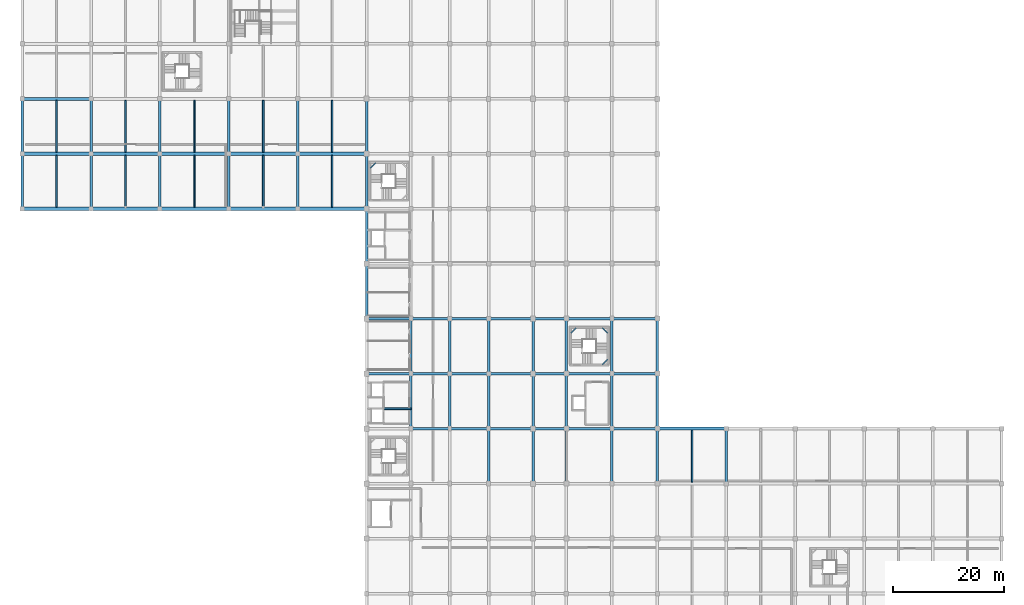
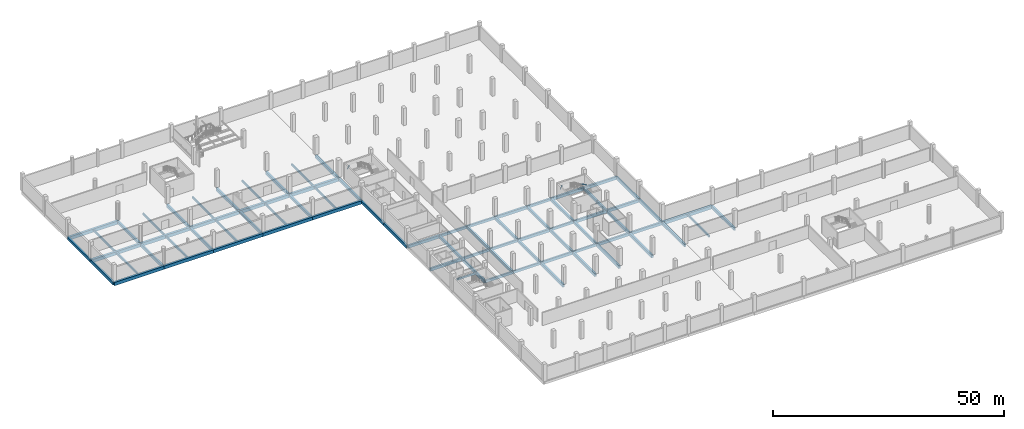
# One storey, part 4 of 32: 82 beams.
"""IFC4 building model written with IfcOpenShell, lengths in metres."""

import ifcopenshell
import ifcopenshell.guid

model = None  # the IFC model being written
_history = None  # IfcOwnerHistory: only IFC2X3 demands one
_inside = {}  # id of a spatial element -> (the spatial element, [elements in it])
_under = {}  # id of a project, library or spatial element -> (it, [spatial elements below it])
_declared = {}  # id of a project -> (the project, [libraries it declares])
_typed = {}  # id of a type object -> (the type object, [elements of that type])
_made_of = {}  # id of a material, layer set ... -> (it, [elements and type objects made of it])


def new_model(schema):
    """Start an empty IFC model of exactly this schema.

    Asked for "IFC4X3", IfcOpenShell would pick the latest addendum, in which some entities
    have other attributes; the version numbers below select the first issue.
    IFC2X3 requires an IfcOwnerHistory on every rooted entity: one is made here for all.
    """
    global model, _history
    if schema == "IFC4X3":
        model = ifcopenshell.file(schema_version=(4, 3, 0, 0))
    else:
        model = ifcopenshell.file(schema=schema)
    _inside.clear()
    _under.clear()
    _declared.clear()
    _typed.clear()
    _made_of.clear()
    _history = None
    if model.schema == "IFC2X3":
        org = make("IfcOrganization", Name="unknown")
        user = make(
            "IfcPersonAndOrganization",
            ThePerson=make("IfcPerson", FamilyName="unknown"),
            TheOrganization=org,
        )
        app = make(
            "IfcApplication",
            ApplicationDeveloper=org,
            Version="unknown",
            ApplicationFullName="unknown",
            ApplicationIdentifier="unknown",
        )
        _history = make(
            "IfcOwnerHistory",
            OwningUser=user,
            OwningApplication=app,
            ChangeAction="ADDED",
            CreationDate=0,
        )
    return model


def make(cls, **values):
    """One entity of the class cls with the attributes given. An attribute that is None is left unset."""
    return model.create_entity(
        cls, **{name: value for name, value in values.items() if value is not None}
    )


def rooted(cls, **values):
    """An entity with a GlobalId (a new one), such as an element, a storey or a relation."""
    return make(cls, GlobalId=ifcopenshell.guid.new(), OwnerHistory=_history, **values)


def si_unit(unit_type, name, prefix=None):
    """IfcSIUnit, for example si_unit("LENGTHUNIT", "METRE", prefix="MILLI")."""
    return make("IfcSIUnit", UnitType=unit_type, Prefix=prefix, Name=name)


def assignment(units):
    """IfcUnitAssignment: the units of a project."""
    return None if units is None else make("IfcUnitAssignment", Units=units)


def point(xyz):
    """IfcCartesianPoint."""
    return None if xyz is None else make("IfcCartesianPoint", Coordinates=xyz)


def direction(xyz):
    """IfcDirection."""
    return None if xyz is None else make("IfcDirection", DirectionRatios=xyz)


def frame(location, z_axis=None, x_axis=None):
    """IfcAxis2Placement3D, a coordinate frame: its origin and axes. An axis left out is left unset."""
    return make(
        "IfcAxis2Placement3D",
        Location=point(location),
        Axis=direction(z_axis),
        RefDirection=direction(x_axis),
    )


def frame_2d(location, x_axis=None):
    """IfcAxis2Placement2D, a coordinate frame in the plane: its origin and x axis."""
    return make(
        "IfcAxis2Placement2D", Location=point(location), RefDirection=direction(x_axis)
    )


def origin():
    """The frame at (0, 0, 0) with its axes left unset."""
    return frame((0.0, 0.0, 0.0))


def origin_2d():
    """The frame at (0, 0) in the plane with its x axis left unset."""
    return frame_2d((0.0, 0.0))


def place(relative_to, where):
    """IfcLocalPlacement: puts the frame where relative to a parent placement (None: the world)."""
    return make(
        "IfcLocalPlacement", PlacementRelTo=relative_to, RelativePlacement=where
    )


def context(
    kind, dimensions, precision=None, world=None, true_north=None, identifier=None
):
    """IfcGeometricRepresentationContext, for example the 3D "Model" context."""
    return make(
        "IfcGeometricRepresentationContext",
        ContextIdentifier=identifier,
        ContextType=kind,
        CoordinateSpaceDimension=dimensions,
        Precision=precision,
        WorldCoordinateSystem=world,
        TrueNorth=true_north,
    )


def subcontext(parent, identifier, kind, view, scale=None):
    """IfcGeometricRepresentationSubContext, for example "Body" below "Model"."""
    return make(
        "IfcGeometricRepresentationSubContext",
        ContextIdentifier=identifier,
        ContextType=kind,
        ParentContext=parent,
        TargetScale=scale,
        TargetView=view,
    )


def project(units=None, contexts=None):
    """IfcProject with its units and contexts."""
    return rooted(
        "IfcProject",
        Name="project",
        RepresentationContexts=contexts,
        UnitsInContext=assignment(units),
    )


def spatial(cls, under=None, at=None, **own):
    """A site, building, storey or space (cls), placed at a placement, below another one or the project."""
    s = rooted(cls, ObjectPlacement=at, **own)
    if under is not None:
        _under.setdefault(under.id(), (under, []))[1].append(s)
    return s


def profile(cls, at=None, kind="AREA", **sizes):
    """A parametric profile (cls). Its sizes go by their IFC names, for example OverallWidth=200.0."""
    return make(cls, ProfileType=kind, Position=at, **sizes)


def rectangle(**sizes):
    """IfcRectangleProfileDef."""
    return profile("IfcRectangleProfileDef", **sizes)


def hollow_rectangle(**sizes):
    """IfcRectangleHollowProfileDef."""
    return profile("IfcRectangleHollowProfileDef", **sizes)


def extrude(swept, where, along, depth):
    """IfcExtrudedAreaSolid: the profile swept, set in the frame where, extruded along a direction by depth."""
    return make(
        "IfcExtrudedAreaSolid",
        SweptArea=swept,
        Position=where,
        ExtrudedDirection=direction(along),
        Depth=depth,
    )


def shape(context_of_items, identifier, shape_type, items):
    """IfcShapeRepresentation: the items that make up one representation, for example the "Body"."""
    return make(
        "IfcShapeRepresentation",
        ContextOfItems=context_of_items,
        RepresentationIdentifier=identifier,
        RepresentationType=shape_type,
        Items=items,
    )


def material(Name=None, Category=None):
    """IfcMaterial."""
    return make("IfcMaterial", Name=Name, Category=Category)


def material_profile(
    of_material, cross_section, Name=None, Category=None, Priority=None
):
    """IfcMaterialProfile: a cross section and its material."""
    return make(
        "IfcMaterialProfile",
        Name=Name,
        Material=of_material,
        Profile=cross_section,
        Priority=Priority,
        Category=Category,
    )


def profile_set(profiles, Name=None, composite=None):
    """IfcMaterialProfileSet."""
    return make(
        "IfcMaterialProfileSet",
        Name=Name,
        MaterialProfiles=profiles,
        CompositeProfile=composite,
    )


def made_of(thing, what):
    """Note that an element or type object is made of a material, layer set ...; save() writes the relation."""
    if what is not None:
        _made_of.setdefault(what.id(), (what, []))[1].append(thing)
    return thing


def type_object(cls, material=None, **own):
    """A type object (cls), such as IfcWallType, which elements share."""
    return made_of(rooted(cls, **own), material)


def element(
    cls,
    number,
    at=None,
    inside=None,
    cuts=None,
    type_object=None,
    material=None,
    context=None,
    identifier="Body",
    shape_type=None,
    held_by="IfcProductDefinitionShape",
    body=None,
    shapes=None,
    **own,
):
    """One element of the class cls, such as IfcWall. Its Tag is "e" and its number.

    at: its placement. inside: the storey or other place that contains it. cuts: it is an
    opening in that element (IfcRelVoidsElement). A single representation is given by context,
    identifier, shape_type and body (its items); several are given by shapes. held_by: the class
    of the entity that holds the representations. save() writes the other relations.
    """
    e = rooted(cls, Tag="e%d" % number, ObjectPlacement=at, **own)
    if body is not None:
        shapes = [shape(context, identifier, shape_type, body)]
    if shapes is not None:
        e.Representation = make(held_by, Representations=shapes)
    if inside is not None:
        _inside.setdefault(inside.id(), (inside, []))[1].append(e)
    if cuts is not None:
        rooted(
            "IfcRelVoidsElement", RelatingBuildingElement=cuts, RelatedOpeningElement=e
        )
    if type_object is not None:
        _typed.setdefault(type_object.id(), (type_object, []))[1].append(e)
    return made_of(e, material)


def aggregate(whole, parts):
    """IfcRelAggregates: a whole, such as a stair, and the parts it consists of."""
    return rooted("IfcRelAggregates", RelatingObject=whole, RelatedObjects=parts)


def save(model, path):
    """Write the relations noted so far, then the file.

    IfcRelAggregates (storeys below a building ...), IfcRelContainedInSpatialStructure (elements
    in a storey), IfcRelDefinesByType, IfcRelAssociatesMaterial and IfcRelDeclares: one each for
    every whole, place, type object, material and project.
    """
    for whole, parts in _under.values():
        aggregate(whole, parts)
    for where, things in _inside.values():
        rooted(
            "IfcRelContainedInSpatialStructure",
            RelatedElements=things,
            RelatingStructure=where,
        )
    for kind, things in _typed.values():
        rooted("IfcRelDefinesByType", RelatedObjects=things, RelatingType=kind)
    for what, things in _made_of.values():
        rooted("IfcRelAssociatesMaterial", RelatedObjects=things, RelatingMaterial=what)
    for by, libraries in _declared.values():
        rooted("IfcRelDeclares", RelatingContext=by, RelatedDefinitions=libraries)
    model.write(path)


model = new_model("IFC4")

# Units and contexts
model_context = context("Model", 3, precision=1e-05, world=origin(), true_north=direction((0.0, 1.0)))
body_context = subcontext(model_context, "Body", "Model", "MODEL_VIEW")
ifc_project = project(units=[si_unit("LENGTHUNIT", "METRE"), si_unit("AREAUNIT", "SQUARE_METRE"), si_unit("VOLUMEUNIT", "CUBIC_METRE"), si_unit("PLANEANGLEUNIT", "RADIAN"), si_unit("MASSUNIT", "GRAM", prefix="KILO")], contexts=[model_context])

# Site, building, storey
site_placement = place(None, origin())
site = spatial("IfcSite", under=ifc_project, at=site_placement, CompositionType="ELEMENT")
building_placement = place(site_placement, origin())
building = spatial("IfcBuilding", under=site, at=building_placement, Name="Sillaruma Civic Art Gallery", CompositionType="ELEMENT")
storey_placement = place(building_placement, frame((0.0, 0.0, -4.590087890625)))
storey = spatial("IfcBuildingStorey", under=building, at=storey_placement, Name="B01", CompositionType="ELEMENT", Elevation=-4.590087890625)

# Beams
ifc_material_1 = material(Name="Concrete H35 (35 MPa)", Category="concrete")
ifc_material_profile_1 = material_profile(ifc_material_1, rectangle(XDim=0.39990234375, YDim=0.64990234375, at=origin_2d()), Name="RCB400x650")
ifc_profile_set_1 = profile_set([ifc_material_profile_1], Name="Concrete H35 (35 MPa)")
beam_type_1 = type_object("IfcBeamType", Name="BM-BEAM-RCB400x650", PredefinedType="BEAM", material=ifc_profile_set_1)
for number, where, z_axis, x_axis, name in (
    (1, (70.0, 39.60009765625, -0.60498046875), (1.0, 0.0, 0.0), (0.0, 1.0, 0.0), "Beam BM-05 (B02:5:G-H)"),
    (2, (77.0, 39.60009765625, -0.60498046875), (1.0, 0.0, 0.0), (0.0, 1.0, 0.0), "Beam BM-05 (B02:5:H-J)"),
):
    element("IfcBeam", number, at=place(storey_placement, frame(where, z_axis=z_axis, x_axis=x_axis)), inside=storey, type_object=beam_type_1, Name=name, PredefinedType="BEAM", context=body_context, shape_type="SweptSolid", body=[
        extrude(rectangle(XDim=0.39990234375, YDim=0.64990234375, at=origin_2d()), origin(), (0.0, 0.0, 1.0), 7.0),
    ])
beam_1_placement = place(storey_placement, frame((92.0, 39.60009765625, -0.60498046875), z_axis=(1.0, 0.0, 0.0), x_axis=(0.0, 1.0, 0.0)))
element("IfcBeam", 3, at=beam_1_placement, inside=storey, type_object=beam_type_1, Name="Beam BM-05 (B02:5:K-L)", PredefinedType="BEAM", context=body_context, shape_type="SweptSolid", body=[
    extrude(rectangle(XDim=0.39990234375, YDim=0.64990234375, at=origin_2d()), origin(), (0.0, 0.0, 1.0), 6.0),
])
for number, where, z_axis, x_axis, name in (
    (4, (70.0, 49.5, -0.60498046875), (1.0, 0.0, 0.0), (0.0, 1.0, 0.0), "Beam BM-05 (B02:6:G-H)"),
    (5, (77.0, 49.5, -0.60498046875), (1.0, 0.0, 0.0), (0.0, 1.0, 0.0), "Beam BM-05 (B02:6:H-J)"),
):
    element("IfcBeam", number, at=place(storey_placement, frame(where, z_axis=z_axis, x_axis=x_axis)), inside=storey, type_object=beam_type_1, Name=name, PredefinedType="BEAM", context=body_context, shape_type="SweptSolid", body=[
        extrude(rectangle(XDim=0.39990234375, YDim=0.64990234375, at=origin_2d()), origin(), (0.0, 0.0, 1.0), 7.0),
    ])
beam_2_placement = place(storey_placement, frame((92.0, 49.5, -0.60498046875), z_axis=(1.0, 0.0, 0.0), x_axis=(0.0, 1.0, 0.0)))
element("IfcBeam", 6, at=beam_2_placement, inside=storey, type_object=beam_type_1, Name="Beam BM-05 (B02:6:K-L)", PredefinedType="BEAM", context=body_context, shape_type="SweptSolid", body=[
    extrude(rectangle(XDim=0.39990234375, YDim=0.64990234375, at=origin_2d()), origin(), (0.0, 0.0, 1.0), 6.0),
])
for number, where, z_axis, x_axis, name in (
    (7, (70.0, 59.39990234375, -0.60498046875), (1.0, 0.0, 0.0), (0.0, 1.0, 0.0), "Beam BM-05 (B02:7:G-H)"),
    (8, (77.0, 59.39990234375, -0.60498046875), (1.0, 0.0, 0.0), (0.0, 1.0, 0.0), "Beam BM-05 (B02:7:H-J)"),
):
    element("IfcBeam", number, at=place(storey_placement, frame(where, z_axis=z_axis, x_axis=x_axis)), inside=storey, type_object=beam_type_1, Name=name, PredefinedType="BEAM", context=body_context, shape_type="SweptSolid", body=[
        extrude(rectangle(XDim=0.39990234375, YDim=0.64990234375, at=origin_2d()), origin(), (0.0, 0.0, 1.0), 7.0),
    ])
beam_3_placement = place(storey_placement, frame((92.0, 59.39990234375, -0.60498046875), z_axis=(1.0, 0.0, 0.0), x_axis=(0.0, 1.0, 0.0)))
element("IfcBeam", 9, at=beam_3_placement, inside=storey, type_object=beam_type_1, Name="Beam BM-05 (B02:7:K-L)", PredefinedType="BEAM", context=body_context, shape_type="SweptSolid", body=[
    extrude(rectangle(XDim=0.39990234375, YDim=0.64990234375, at=origin_2d()), origin(), (0.0, 0.0, 1.0), 6.0),
])
ifc_material_2 = material(Name="Concrete H40 (40 MPa)", Category="concrete")
ifc_material_profile_2 = material_profile(ifc_material_2, rectangle(XDim=0.449951171875, YDim=0.75, at=origin_2d()), Name="RCB450x750")
ifc_profile_set_2 = profile_set([ifc_material_profile_2], Name="Concrete H40 (40 MPa)")
beam_type_2 = type_object("IfcBeamType", Name="BM-BEAM-RCB450x750", PredefinedType="BEAM", material=ifc_profile_set_2)
beam_4_placement = place(storey_placement, frame((84.0, 39.60009765625, -0.655029296875), z_axis=(1.0, 0.0, 0.0), x_axis=(0.0, 1.0, 0.0)))
element("IfcBeam", 10, at=beam_4_placement, inside=storey, type_object=beam_type_2, Name="Beam BM-03 (B02:5:J-K)", PredefinedType="BEAM", context=body_context, shape_type="SweptSolid", body=[
    extrude(rectangle(XDim=0.449951171875, YDim=0.75, at=origin_2d()), origin(), (0.0, 0.0, 1.0), 8.0),
])
for number, where, z_axis, x_axis, name in (
    (11, (98.0, 39.60009765625, -0.655029296875), (1.0, 0.0, 0.0), (0.0, 1.0, 0.0), "Beam BM-03 (B02:5:L-M)"),
    (12, (106.199951171875, 39.60009765625, -0.655029296875), (1.0, 0.0, 0.0), (0.0, 1.0, 0.0), "Beam BM-03 (B02:5:M-N)"),
):
    element("IfcBeam", number, at=place(storey_placement, frame(where, z_axis=z_axis, x_axis=x_axis)), inside=storey, type_object=beam_type_2, Name=name, PredefinedType="BEAM", context=body_context, shape_type="SweptSolid", body=[
        extrude(rectangle(XDim=0.449951171875, YDim=0.75, at=origin_2d()), origin(), (0.0, 0.0, 1.0), 8.199951171875),
    ])
for number, where, z_axis, x_axis, name in (
    (13, (62.0, 49.5, -0.655029296875), (1.0, 0.0, 0.0), (0.0, 1.0, 0.0), "Beam BM-03 (B02:6:F-G)"),
    (14, (84.0, 49.5, -0.655029296875), (1.0, 0.0, 0.0), (0.0, 1.0, 0.0), "Beam BM-03 (B02:6:J-K)"),
):
    element("IfcBeam", number, at=place(storey_placement, frame(where, z_axis=z_axis, x_axis=x_axis)), inside=storey, type_object=beam_type_2, Name=name, PredefinedType="BEAM", context=body_context, shape_type="SweptSolid", body=[
        extrude(rectangle(XDim=0.449951171875, YDim=0.75, at=origin_2d()), origin(), (0.0, 0.0, 1.0), 8.0),
    ])
for number, where, z_axis, x_axis, name in (
    (15, (98.0, 49.5, -0.655029296875), (1.0, 0.0, 0.0), (0.0, 1.0, 0.0), "Beam BM-03 (B02:6:L-M)"),
    (16, (106.199951171875, 49.5, -0.655029296875), (1.0, 0.0, 0.0), (0.0, 1.0, 0.0), "Beam BM-03 (B02:6:M-N)"),
):
    element("IfcBeam", number, at=place(storey_placement, frame(where, z_axis=z_axis, x_axis=x_axis)), inside=storey, type_object=beam_type_2, Name=name, PredefinedType="BEAM", context=body_context, shape_type="SweptSolid", body=[
        extrude(rectangle(XDim=0.449951171875, YDim=0.75, at=origin_2d()), origin(), (0.0, 0.0, 1.0), 8.199951171875),
    ])
for number, where, z_axis, x_axis, name in (
    (17, (62.0, 59.39990234375, -0.655029296875), (1.0, 0.0, 0.0), (0.0, 1.0, 0.0), "Beam BM-03 (B02:7:F-G)"),
    (18, (84.0, 59.39990234375, -0.655029296875), (1.0, 0.0, 0.0), (0.0, 1.0, 0.0), "Beam BM-03 (B02:7:J-K)"),
):
    element("IfcBeam", number, at=place(storey_placement, frame(where, z_axis=z_axis, x_axis=x_axis)), inside=storey, type_object=beam_type_2, Name=name, PredefinedType="BEAM", context=body_context, shape_type="SweptSolid", body=[
        extrude(rectangle(XDim=0.449951171875, YDim=0.75, at=origin_2d()), origin(), (0.0, 0.0, 1.0), 8.0),
    ])
for number, where, z_axis, x_axis, name in (
    (19, (98.0, 59.39990234375, -0.655029296875), (1.0, 0.0, 0.0), (0.0, 1.0, 0.0), "Beam BM-03 (B02:7:L-M)"),
    (20, (106.199951171875, 59.39990234375, -0.655029296875), (1.0, 0.0, 0.0), (0.0, 1.0, 0.0), "Beam BM-03 (B02:7:M-N)"),
):
    element("IfcBeam", number, at=place(storey_placement, frame(where, z_axis=z_axis, x_axis=x_axis)), inside=storey, type_object=beam_type_2, Name=name, PredefinedType="BEAM", context=body_context, shape_type="SweptSolid", body=[
        extrude(rectangle(XDim=0.449951171875, YDim=0.75, at=origin_2d()), origin(), (0.0, 0.0, 1.0), 8.199951171875),
    ])
beam_5_placement = place(storey_placement, frame((0.0, 79.199951171875, -0.655029296875), z_axis=(0.0, 1.0, 0.0), x_axis=(-1.0, 0.0, 0.0)))
element("IfcBeam", 21, at=beam_5_placement, inside=storey, type_object=beam_type_2, Name="Beam BM-03 (B02:A:9-10)", PredefinedType="BEAM", context=body_context, shape_type="SweptSolid", body=[
    extrude(rectangle(XDim=0.449951171875, YDim=0.75, at=origin_2d()), origin(), (0.0, 0.0, 1.0), 9.900146484375),
])
beam_6_placement = place(storey_placement, frame((0.0, 89.10009765625, -0.655029296875), z_axis=(0.0, 1.0, 0.0), x_axis=(-1.0, 0.0, 0.0)))
element("IfcBeam", 22, at=beam_6_placement, inside=storey, type_object=beam_type_2, Name="Beam BM-03 (B02:A:10-11)", PredefinedType="BEAM", context=body_context, shape_type="SweptSolid", body=[
    extrude(rectangle(XDim=0.449951171875, YDim=0.75, at=origin_2d()), origin(), (0.0, 0.0, 1.0), 9.89990234375),
])
beam_7_placement = place(storey_placement, frame((12.39990234375, 79.199951171875, -0.655029296875), z_axis=(0.0, 1.0, 0.0), x_axis=(-1.0, 0.0, 0.0)))
element("IfcBeam", 23, at=beam_7_placement, inside=storey, type_object=beam_type_2, Name="Beam BM-03 (B02:B:9-10)", PredefinedType="BEAM", context=body_context, shape_type="SweptSolid", body=[
    extrude(rectangle(XDim=0.449951171875, YDim=0.75, at=origin_2d()), origin(), (0.0, 0.0, 1.0), 9.900146484375),
])
beam_8_placement = place(storey_placement, frame((12.39990234375, 89.10009765625, -0.655029296875), z_axis=(0.0, 1.0, 0.0), x_axis=(-1.0, 0.0, 0.0)))
element("IfcBeam", 24, at=beam_8_placement, inside=storey, type_object=beam_type_2, Name="Beam BM-03 (B02:B:10-11)", PredefinedType="BEAM", context=body_context, shape_type="SweptSolid", body=[
    extrude(rectangle(XDim=0.449951171875, YDim=0.75, at=origin_2d()), origin(), (0.0, 0.0, 1.0), 9.89990234375),
])
beam_9_placement = place(storey_placement, frame((24.800048828125, 79.199951171875, -0.655029296875), z_axis=(0.0, 1.0, 0.0), x_axis=(-1.0, 0.0, 0.0)))
element("IfcBeam", 25, at=beam_9_placement, inside=storey, type_object=beam_type_2, Name="Beam BM-03 (B02:C:9-10)", PredefinedType="BEAM", context=body_context, shape_type="SweptSolid", body=[
    extrude(rectangle(XDim=0.449951171875, YDim=0.75, at=origin_2d()), origin(), (0.0, 0.0, 1.0), 9.900146484375),
])
beam_10_placement = place(storey_placement, frame((24.800048828125, 89.10009765625, -0.655029296875), z_axis=(0.0, 1.0, 0.0), x_axis=(-1.0, 0.0, 0.0)))
element("IfcBeam", 26, at=beam_10_placement, inside=storey, type_object=beam_type_2, Name="Beam BM-03 (B02:C:10-11)", PredefinedType="BEAM", context=body_context, shape_type="SweptSolid", body=[
    extrude(rectangle(XDim=0.449951171875, YDim=0.75, at=origin_2d()), origin(), (0.0, 0.0, 1.0), 9.89990234375),
])
beam_11_placement = place(storey_placement, frame((37.199951171875, 79.199951171875, -0.655029296875), z_axis=(0.0, 1.0, 0.0), x_axis=(-1.0, 0.0, 0.0)))
element("IfcBeam", 27, at=beam_11_placement, inside=storey, type_object=beam_type_2, Name="Beam BM-03 (B02:D:9-10)", PredefinedType="BEAM", context=body_context, shape_type="SweptSolid", body=[
    extrude(rectangle(XDim=0.449951171875, YDim=0.75, at=origin_2d()), origin(), (0.0, 0.0, 1.0), 9.900146484375),
])
beam_12_placement = place(storey_placement, frame((37.199951171875, 89.10009765625, -0.655029296875), z_axis=(0.0, 1.0, 0.0), x_axis=(-1.0, 0.0, 0.0)))
element("IfcBeam", 28, at=beam_12_placement, inside=storey, type_object=beam_type_2, Name="Beam BM-03 (B02:D:10-11)", PredefinedType="BEAM", context=body_context, shape_type="SweptSolid", body=[
    extrude(rectangle(XDim=0.449951171875, YDim=0.75, at=origin_2d()), origin(), (0.0, 0.0, 1.0), 9.89990234375),
])
beam_13_placement = place(storey_placement, frame((49.60009765625, 79.199951171875, -0.655029296875), z_axis=(0.0, 1.0, 0.0), x_axis=(-1.0, 0.0, 0.0)))
element("IfcBeam", 29, at=beam_13_placement, inside=storey, type_object=beam_type_2, Name="Beam BM-03 (B02:E:9-10)", PredefinedType="BEAM", context=body_context, shape_type="SweptSolid", body=[
    extrude(rectangle(XDim=0.449951171875, YDim=0.75, at=origin_2d()), origin(), (0.0, 0.0, 1.0), 9.900146484375),
])
beam_14_placement = place(storey_placement, frame((49.60009765625, 89.10009765625, -0.655029296875), z_axis=(0.0, 1.0, 0.0), x_axis=(-1.0, 0.0, 0.0)))
element("IfcBeam", 30, at=beam_14_placement, inside=storey, type_object=beam_type_2, Name="Beam BM-03 (B02:E:10-11)", PredefinedType="BEAM", context=body_context, shape_type="SweptSolid", body=[
    extrude(rectangle(XDim=0.449951171875, YDim=0.75, at=origin_2d()), origin(), (0.0, 0.0, 1.0), 9.89990234375),
])
beam_15_placement = place(storey_placement, frame((62.0, 59.39990234375, -0.655029296875), z_axis=(0.0, 1.0, 0.0), x_axis=(-1.0, 0.0, 0.0)))
element("IfcBeam", 31, at=beam_15_placement, inside=storey, type_object=beam_type_2, Name="Beam BM-03 (B02:F:7-8)", PredefinedType="BEAM", context=body_context, shape_type="SweptSolid", body=[
    extrude(rectangle(XDim=0.449951171875, YDim=0.75, at=origin_2d()), origin(), (0.0, 0.0, 1.0), 9.900146484375),
])
beam_16_placement = place(storey_placement, frame((62.0, 69.300048828125, -0.655029296875), z_axis=(0.0, 1.0, 0.0), x_axis=(-1.0, 0.0, 0.0)))
element("IfcBeam", 32, at=beam_16_placement, inside=storey, type_object=beam_type_2, Name="Beam BM-03 (B02:F:8-9)", PredefinedType="BEAM", context=body_context, shape_type="SweptSolid", body=[
    extrude(rectangle(XDim=0.449951171875, YDim=0.75, at=origin_2d()), origin(), (0.0, 0.0, 1.0), 9.89990234375),
])
beam_17_placement = place(storey_placement, frame((62.0, 79.199951171875, -0.655029296875), z_axis=(0.0, 1.0, 0.0), x_axis=(-1.0, 0.0, 0.0)))
element("IfcBeam", 33, at=beam_17_placement, inside=storey, type_object=beam_type_2, Name="Beam BM-03 (B02:F:9-10)", PredefinedType="BEAM", context=body_context, shape_type="SweptSolid", body=[
    extrude(rectangle(XDim=0.449951171875, YDim=0.75, at=origin_2d()), origin(), (0.0, 0.0, 1.0), 9.900146484375),
])
for number, where, z_axis, x_axis, name in (
    (34, (62.0, 89.10009765625, -0.655029296875), (0.0, 1.0, 0.0), (-1.0, 0.0, 0.0), "Beam BM-03 (B02:F:10-11)"),
    (35, (70.0, 39.60009765625, -0.655029296875), (0.0, 1.0, 0.0), (-1.0, 0.0, 0.0), "Beam BM-03 (B02:G:5-6)"),
    (36, (70.0, 49.5, -0.655029296875), (0.0, 1.0, 0.0), (-1.0, 0.0, 0.0), "Beam BM-03 (B02:G:6-7)"),
    (37, (77.0, 39.60009765625, -0.655029296875), (0.0, 1.0, 0.0), (-1.0, 0.0, 0.0), "Beam BM-03 (B02:H:5-6)"),
    (38, (77.0, 49.5, -0.655029296875), (0.0, 1.0, 0.0), (-1.0, 0.0, 0.0), "Beam BM-03 (B02:H:6-7)"),
):
    element("IfcBeam", number, at=place(storey_placement, frame(where, z_axis=z_axis, x_axis=x_axis)), inside=storey, type_object=beam_type_2, Name=name, PredefinedType="BEAM", context=body_context, shape_type="SweptSolid", body=[
        extrude(rectangle(XDim=0.449951171875, YDim=0.75, at=origin_2d()), origin(), (0.0, 0.0, 1.0), 9.89990234375),
    ])
beam_18_placement = place(storey_placement, frame((84.0, 29.699951171875, -0.655029296875), z_axis=(0.0, 1.0, 0.0), x_axis=(-1.0, 0.0, 0.0)))
element("IfcBeam", 39, at=beam_18_placement, inside=storey, type_object=beam_type_2, Name="Beam BM-03 (B02:J:4-5)", PredefinedType="BEAM", context=body_context, shape_type="SweptSolid", body=[
    extrude(rectangle(XDim=0.449951171875, YDim=0.75, at=origin_2d()), origin(), (0.0, 0.0, 1.0), 9.900146484375),
])
for number, where, z_axis, x_axis, name in (
    (40, (84.0, 39.60009765625, -0.655029296875), (0.0, 1.0, 0.0), (-1.0, 0.0, 0.0), "Beam BM-03 (B02:J:5-6)"),
    (41, (84.0, 49.5, -0.655029296875), (0.0, 1.0, 0.0), (-1.0, 0.0, 0.0), "Beam BM-03 (B02:J:6-7)"),
):
    element("IfcBeam", number, at=place(storey_placement, frame(where, z_axis=z_axis, x_axis=x_axis)), inside=storey, type_object=beam_type_2, Name=name, PredefinedType="BEAM", context=body_context, shape_type="SweptSolid", body=[
        extrude(rectangle(XDim=0.449951171875, YDim=0.75, at=origin_2d()), origin(), (0.0, 0.0, 1.0), 9.89990234375),
    ])
beam_19_placement = place(storey_placement, frame((92.0, 29.699951171875, -0.655029296875), z_axis=(0.0, 1.0, 0.0), x_axis=(-1.0, 0.0, 0.0)))
element("IfcBeam", 42, at=beam_19_placement, inside=storey, type_object=beam_type_2, Name="Beam BM-03 (B02:K:4-5)", PredefinedType="BEAM", context=body_context, shape_type="SweptSolid", body=[
    extrude(rectangle(XDim=0.449951171875, YDim=0.75, at=origin_2d()), origin(), (0.0, 0.0, 1.0), 9.900146484375),
])
for number, where, z_axis, x_axis, name in (
    (43, (92.0, 39.60009765625, -0.655029296875), (0.0, 1.0, 0.0), (-1.0, 0.0, 0.0), "Beam BM-03 (B02:K:5-6)"),
    (44, (92.0, 49.5, -0.655029296875), (0.0, 1.0, 0.0), (-1.0, 0.0, 0.0), "Beam BM-03 (B02:K:6-7)"),
):
    element("IfcBeam", number, at=place(storey_placement, frame(where, z_axis=z_axis, x_axis=x_axis)), inside=storey, type_object=beam_type_2, Name=name, PredefinedType="BEAM", context=body_context, shape_type="SweptSolid", body=[
        extrude(rectangle(XDim=0.449951171875, YDim=0.75, at=origin_2d()), origin(), (0.0, 0.0, 1.0), 9.89990234375),
    ])
beam_20_placement = place(storey_placement, frame((98.0, 29.699951171875, -0.655029296875), z_axis=(0.0, 1.0, 0.0), x_axis=(-1.0, 0.0, 0.0)))
element("IfcBeam", 45, at=beam_20_placement, inside=storey, type_object=beam_type_2, Name="Beam BM-03 (B02:L:4-5)", PredefinedType="BEAM", context=body_context, shape_type="SweptSolid", body=[
    extrude(rectangle(XDim=0.449951171875, YDim=0.75, at=origin_2d()), origin(), (0.0, 0.0, 1.0), 9.900146484375),
])
for number, where, z_axis, x_axis, name in (
    (46, (98.0, 39.60009765625, -0.655029296875), (0.0, 1.0, 0.0), (-1.0, 0.0, 0.0), "Beam BM-03 (B02:L:5-6)"),
    (47, (98.0, 49.5, -0.655029296875), (0.0, 1.0, 0.0), (-1.0, 0.0, 0.0), "Beam BM-03 (B02:L:6-7)"),
):
    element("IfcBeam", number, at=place(storey_placement, frame(where, z_axis=z_axis, x_axis=x_axis)), inside=storey, type_object=beam_type_2, Name=name, PredefinedType="BEAM", context=body_context, shape_type="SweptSolid", body=[
        extrude(rectangle(XDim=0.449951171875, YDim=0.75, at=origin_2d()), origin(), (0.0, 0.0, 1.0), 9.89990234375),
    ])
beam_21_placement = place(storey_placement, frame((106.199951171875, 29.699951171875, -0.655029296875), z_axis=(0.0, 1.0, 0.0), x_axis=(-1.0, 0.0, 0.0)))
element("IfcBeam", 48, at=beam_21_placement, inside=storey, type_object=beam_type_2, Name="Beam BM-03 (B02:M:4-5)", PredefinedType="BEAM", context=body_context, shape_type="SweptSolid", body=[
    extrude(rectangle(XDim=0.449951171875, YDim=0.75, at=origin_2d()), origin(), (0.0, 0.0, 1.0), 9.900146484375),
])
for number, where, z_axis, x_axis, name in (
    (49, (106.199951171875, 39.60009765625, -0.655029296875), (0.0, 1.0, 0.0), (-1.0, 0.0, 0.0), "Beam BM-03 (B02:M:5-6)"),
    (50, (106.199951171875, 49.5, -0.655029296875), (0.0, 1.0, 0.0), (-1.0, 0.0, 0.0), "Beam BM-03 (B02:M:6-7)"),
):
    element("IfcBeam", number, at=place(storey_placement, frame(where, z_axis=z_axis, x_axis=x_axis)), inside=storey, type_object=beam_type_2, Name=name, PredefinedType="BEAM", context=body_context, shape_type="SweptSolid", body=[
        extrude(rectangle(XDim=0.449951171875, YDim=0.75, at=origin_2d()), origin(), (0.0, 0.0, 1.0), 9.89990234375),
    ])
beam_22_placement = place(storey_placement, frame((114.39990234375, 29.699951171875, -0.655029296875), z_axis=(0.0, 1.0, 0.0), x_axis=(-1.0, 0.0, 0.0)))
element("IfcBeam", 51, at=beam_22_placement, inside=storey, type_object=beam_type_2, Name="Beam BM-03 (B02:N:4-5)", PredefinedType="BEAM", context=body_context, shape_type="SweptSolid", body=[
    extrude(rectangle(XDim=0.449951171875, YDim=0.75, at=origin_2d()), origin(), (0.0, 0.0, 1.0), 9.900146484375),
])
for number, where, z_axis, x_axis, name in (
    (52, (114.39990234375, 39.60009765625, -0.655029296875), (0.0, 1.0, 0.0), (-1.0, 0.0, 0.0), "Beam BM-03 (B02:N:5-6)"),
    (53, (114.39990234375, 49.5, -0.655029296875), (0.0, 1.0, 0.0), (-1.0, 0.0, 0.0), "Beam BM-03 (B02:N:6-7)"),
):
    element("IfcBeam", number, at=place(storey_placement, frame(where, z_axis=z_axis, x_axis=x_axis)), inside=storey, type_object=beam_type_2, Name=name, PredefinedType="BEAM", context=body_context, shape_type="SweptSolid", body=[
        extrude(rectangle(XDim=0.449951171875, YDim=0.75, at=origin_2d()), origin(), (0.0, 0.0, 1.0), 9.89990234375),
    ])
beam_23_placement = place(storey_placement, frame((126.800048828125, 29.699951171875, -0.655029296875), z_axis=(0.0, 1.0, 0.0), x_axis=(-1.0, 0.0, 0.0)))
element("IfcBeam", 54, at=beam_23_placement, inside=storey, type_object=beam_type_2, Name="Beam BM-03 (B02:P:4-5)", PredefinedType="BEAM", context=body_context, shape_type="SweptSolid", body=[
    extrude(rectangle(XDim=0.449951171875, YDim=0.75, at=origin_2d()), origin(), (0.0, 0.0, 1.0), 9.900146484375),
])
ifc_material_profile_3 = material_profile(ifc_material_2, rectangle(XDim=0.550048828125, YDim=0.85009765625, at=origin_2d()), Name="RCB550x850")
ifc_profile_set_3 = profile_set([ifc_material_profile_3], Name="Concrete H40 (40 MPa)")
beam_type_3 = type_object("IfcBeamType", Name="BM-BEAM-RCB550x850", PredefinedType="BEAM", material=ifc_profile_set_3)
beam_24_placement = place(storey_placement, frame((114.39990234375, 39.60009765625, -0.704833984375), z_axis=(1.0, 0.0, 0.0), x_axis=(0.0, 1.0, 0.0)))
element("IfcBeam", 55, at=beam_24_placement, inside=storey, type_object=beam_type_3, Name="Beam BM-01 (B02:5:N-P)", PredefinedType="BEAM", context=body_context, shape_type="SweptSolid", body=[
    extrude(rectangle(XDim=0.550048828125, YDim=0.85009765625, at=origin_2d()), origin(), (0.0, 0.0, 1.0), 12.400146484375),
])
beam_25_placement = place(storey_placement, frame((0.0, 79.199951171875, -0.704833984375), z_axis=(1.0, 0.0, 0.0), x_axis=(0.0, 1.0, 0.0)))
element("IfcBeam", 56, at=beam_25_placement, inside=storey, type_object=beam_type_3, Name="Beam BM-01 (B02:9:A-B)", PredefinedType="BEAM", context=body_context, shape_type="SweptSolid", body=[
    extrude(rectangle(XDim=0.550048828125, YDim=0.85009765625, at=origin_2d()), origin(), (0.0, 0.0, 1.0), 12.39990234375),
])
beam_26_placement = place(storey_placement, frame((12.39990234375, 79.199951171875, -0.704833984375), z_axis=(1.0, 0.0, 0.0), x_axis=(0.0, 1.0, 0.0)))
element("IfcBeam", 57, at=beam_26_placement, inside=storey, type_object=beam_type_3, Name="Beam BM-01 (B02:9:B-C)", PredefinedType="BEAM", context=body_context, shape_type="SweptSolid", body=[
    extrude(rectangle(XDim=0.550048828125, YDim=0.85009765625, at=origin_2d()), origin(), (0.0, 0.0, 1.0), 12.400146484375),
])
beam_27_placement = place(storey_placement, frame((24.800048828125, 79.199951171875, -0.704833984375), z_axis=(1.0, 0.0, 0.0), x_axis=(0.0, 1.0, 0.0)))
element("IfcBeam", 58, at=beam_27_placement, inside=storey, type_object=beam_type_3, Name="Beam BM-01 (B02:9:C-D)", PredefinedType="BEAM", context=body_context, shape_type="SweptSolid", body=[
    extrude(rectangle(XDim=0.550048828125, YDim=0.85009765625, at=origin_2d()), origin(), (0.0, 0.0, 1.0), 12.39990234375),
])
beam_28_placement = place(storey_placement, frame((37.199951171875, 79.199951171875, -0.704833984375), z_axis=(1.0, 0.0, 0.0), x_axis=(0.0, 1.0, 0.0)))
element("IfcBeam", 59, at=beam_28_placement, inside=storey, type_object=beam_type_3, Name="Beam BM-01 (B02:9:D-E)", PredefinedType="BEAM", context=body_context, shape_type="SweptSolid", body=[
    extrude(rectangle(XDim=0.550048828125, YDim=0.85009765625, at=origin_2d()), origin(), (0.0, 0.0, 1.0), 12.400146484375),
])
for number, where, z_axis, x_axis, name in (
    (60, (49.60009765625, 79.199951171875, -0.704833984375), (1.0, 0.0, 0.0), (0.0, 1.0, 0.0), "Beam BM-01 (B02:9:E-F)"),
    (61, (0.0, 89.10009765625, -0.704833984375), (1.0, 0.0, 0.0), (0.0, 1.0, 0.0), "Beam BM-01 (B02:10:A-B)"),
):
    element("IfcBeam", number, at=place(storey_placement, frame(where, z_axis=z_axis, x_axis=x_axis)), inside=storey, type_object=beam_type_3, Name=name, PredefinedType="BEAM", context=body_context, shape_type="SweptSolid", body=[
        extrude(rectangle(XDim=0.550048828125, YDim=0.85009765625, at=origin_2d()), origin(), (0.0, 0.0, 1.0), 12.39990234375),
    ])
beam_29_placement = place(storey_placement, frame((12.39990234375, 89.10009765625, -0.704833984375), z_axis=(1.0, 0.0, 0.0), x_axis=(0.0, 1.0, 0.0)))
element("IfcBeam", 62, at=beam_29_placement, inside=storey, type_object=beam_type_3, Name="Beam BM-01 (B02:10:B-C)", PredefinedType="BEAM", context=body_context, shape_type="SweptSolid", body=[
    extrude(rectangle(XDim=0.550048828125, YDim=0.85009765625, at=origin_2d()), origin(), (0.0, 0.0, 1.0), 12.400146484375),
])
beam_30_placement = place(storey_placement, frame((24.800048828125, 89.10009765625, -0.704833984375), z_axis=(1.0, 0.0, 0.0), x_axis=(0.0, 1.0, 0.0)))
element("IfcBeam", 63, at=beam_30_placement, inside=storey, type_object=beam_type_3, Name="Beam BM-01 (B02:10:C-D)", PredefinedType="BEAM", context=body_context, shape_type="SweptSolid", body=[
    extrude(rectangle(XDim=0.550048828125, YDim=0.85009765625, at=origin_2d()), origin(), (0.0, 0.0, 1.0), 12.39990234375),
])
beam_31_placement = place(storey_placement, frame((37.199951171875, 89.10009765625, -0.704833984375), z_axis=(1.0, 0.0, 0.0), x_axis=(0.0, 1.0, 0.0)))
element("IfcBeam", 64, at=beam_31_placement, inside=storey, type_object=beam_type_3, Name="Beam BM-01 (B02:10:D-E)", PredefinedType="BEAM", context=body_context, shape_type="SweptSolid", body=[
    extrude(rectangle(XDim=0.550048828125, YDim=0.85009765625, at=origin_2d()), origin(), (0.0, 0.0, 1.0), 12.400146484375),
])
for number, where, z_axis, x_axis, name in (
    (65, (49.60009765625, 89.10009765625, -0.704833984375), (1.0, 0.0, 0.0), (0.0, 1.0, 0.0), "Beam BM-01 (B02:10:E-F)"),
    (66, (0.0, 99.0, -0.704833984375), (1.0, 0.0, 0.0), (0.0, 1.0, 0.0), "Beam BM-01 (B02:11:A-B)"),
):
    element("IfcBeam", number, at=place(storey_placement, frame(where, z_axis=z_axis, x_axis=x_axis)), inside=storey, type_object=beam_type_3, Name=name, PredefinedType="BEAM", context=body_context, shape_type="SweptSolid", body=[
        extrude(rectangle(XDim=0.550048828125, YDim=0.85009765625, at=origin_2d()), origin(), (0.0, 0.0, 1.0), 12.39990234375),
    ])
ifc_material_profile_4 = material_profile(ifc_material_1, rectangle(XDim=0.300048828125, YDim=0.52001953125, at=origin_2d()), Name="RCB300x520")
ifc_profile_set_4 = profile_set([ifc_material_profile_4], Name="Concrete H35 (35 MPa)")
beam_type_4 = type_object("IfcBeamType", Name="BM-JOIST-RCB300x520", PredefinedType="JOIST", material=ifc_profile_set_4)
beam_32_placement = place(storey_placement, frame((120.60009765625, 29.9599609375, -0.539794921875), z_axis=(0.0, 1.0, 0.0), x_axis=(-1.0, 0.0, 0.0)))
element("IfcBeam", 67, at=beam_32_placement, inside=storey, type_object=beam_type_4, Name="Floor Joist JR-01 (B02:NP:4-5)", PredefinedType="JOIST", context=body_context, shape_type="SweptSolid", body=[
    extrude(rectangle(XDim=0.300048828125, YDim=0.52001953125, at=origin_2d()), origin(), (0.0, 0.0, 1.0), 9.364990234375),
])
for number, where, z_axis, x_axis, name in (
    (68, (6.199951171875, 79.47509765625, -0.539794921875), (0.0, 1.0, 0.0), (-1.0, 0.0, 0.0), "Floor Joist JR-01 (B02:AB:9-10)"),
    (69, (18.60009765625, 79.47509765625, -0.539794921875), (0.0, 1.0, 0.0), (-1.0, 0.0, 0.0), "Floor Joist JR-01 (B02:BC:9-10)"),
    (70, (31.0, 79.47509765625, -0.539794921875), (0.0, 1.0, 0.0), (-1.0, 0.0, 0.0), "Floor Joist JR-01 (B02:CD:9-10)"),
    (71, (43.39990234375, 79.47509765625, -0.539794921875), (0.0, 1.0, 0.0), (-1.0, 0.0, 0.0), "Floor Joist JR-01 (B02:DE:9-10)"),
    (72, (55.800048828125, 79.47509765625, -0.539794921875), (0.0, 1.0, 0.0), (-1.0, 0.0, 0.0), "Floor Joist JR-01 (B02:EF:9-10)"),
):
    element("IfcBeam", number, at=place(storey_placement, frame(where, z_axis=z_axis, x_axis=x_axis)), inside=storey, type_object=beam_type_4, Name=name, PredefinedType="JOIST", context=body_context, shape_type="SweptSolid", body=[
        extrude(rectangle(XDim=0.300048828125, YDim=0.52001953125, at=origin_2d()), origin(), (0.0, 0.0, 1.0), 9.349853515625),
    ])
for number, where, z_axis, x_axis, name in (
    (73, (6.199951171875, 89.375, -0.539794921875), (0.0, 1.0, 0.0), (-1.0, 0.0, 0.0), "Floor Joist JR-01 (B02:AB:10-11)"),
    (74, (18.60009765625, 89.375, -0.539794921875), (0.0, 1.0, 0.0), (-1.0, 0.0, 0.0), "Floor Joist JR-01 (B02:BC:10-11)"),
    (75, (31.0, 89.375, -0.539794921875), (0.0, 1.0, 0.0), (-1.0, 0.0, 0.0), "Floor Joist JR-01 (B02:CD:10-11)"),
    (76, (43.39990234375, 89.375, -0.539794921875), (0.0, 1.0, 0.0), (-1.0, 0.0, 0.0), "Floor Joist JR-01 (B02:DE:10-11)"),
    (77, (55.800048828125, 89.375, -0.539794921875), (0.0, 1.0, 0.0), (-1.0, 0.0, 0.0), "Floor Joist JR-01 (B02:EF:10-11)"),
):
    element("IfcBeam", number, at=place(storey_placement, frame(where, z_axis=z_axis, x_axis=x_axis)), inside=storey, type_object=beam_type_4, Name=name, PredefinedType="JOIST", context=body_context, shape_type="SweptSolid", body=[
        extrude(rectangle(XDim=0.300048828125, YDim=0.52001953125, at=origin_2d()), origin(), (0.0, 0.0, 1.0), 9.35009765625),
    ])
ifc_material_profile_5 = material_profile(ifc_material_1, rectangle(XDim=0.300048828125, YDim=0.4599609375, at=origin_2d()), Name="RCB300x460")
ifc_profile_set_5 = profile_set([ifc_material_profile_5], Name="Concrete H35 (35 MPa)")
beam_type_5 = type_object("IfcBeamType", Name="BM-LINTEL-RCB300x460", PredefinedType="LINTEL", material=ifc_profile_set_5)
beam_33_placement = place(storey_placement, frame((65.050048828125, 43.179931640625, -0.510009765625), z_axis=(1.0, 0.0, 0.0), x_axis=(0.0, 1.0, 0.0)))
element("IfcBeam", 78, at=beam_33_placement, inside=storey, type_object=beam_type_5, Name="Core Portal Coupling Lintel BL-01 (B02:PL1)", PredefinedType="LINTEL", context=body_context, shape_type="SweptSolid", body=[
    extrude(rectangle(XDim=0.300048828125, YDim=0.4599609375, at=origin_2d()), origin(), (0.0, 0.0, 1.0), 4.949951171875),
])
ifc_material_3 = material(Name="Structural Steel ASTM A500 Gr.C", Category="steel")
ifc_material_profile_6 = material_profile(ifc_material_3, hollow_rectangle(XDim=0.080078125, YDim=0.159912109375, WallThickness=0.008056640625, InnerFilletRadius=0.008056640625, OuterFilletRadius=0.01611328125, at=origin_2d()), Name="HSS160x80x8")
ifc_profile_set_6 = profile_set([ifc_material_profile_6], Name="Structural Steel ASTM A500 Gr.C")
beam_type_6 = type_object("IfcBeamType", Name="BM-LND-HSS160", PredefinedType="BEAM", material=ifc_profile_set_6)
for number, where, z_axis, x_axis, name in (
    (79, (62.719970703125, 86.5400390625, 3.2900390625), (0.707203758046, 0.707009791025, 0.0), (-0.707009791025, 0.707203758046, 0.0), "Stair Corner Landing Trimmer Beam (ST-02-B01-3)"),
    (80, (104.489990234375, 51.169921875, 0.91015625), (0.707009791025, 0.707203758046, 0.0), (-0.707203758046, 0.707009791025, 0.0), "Stair Corner Landing Trimmer Beam (ST-04-B01-1)"),
):
    element("IfcBeam", number, at=place(storey_placement, frame(where, z_axis=z_axis, x_axis=x_axis)), inside=storey, type_object=beam_type_6, Name=name, PredefinedType="BEAM", context=body_context, shape_type="SweptSolid", body=[
        extrude(hollow_rectangle(XDim=0.080078125, YDim=0.159912109375, WallThickness=0.008056640625, InnerFilletRadius=0.008056640625, OuterFilletRadius=0.01611328125, at=origin_2d()), origin(), (0.0, 0.0, 1.0), 1.2587890625),
    ])
for number, where, z_axis, x_axis, name in (
    (81, (104.489990234375, 57.72998046875, 2.10009765625), (0.707106781187, -0.707106781187, 0.0), (0.707106781187, 0.707106781187, 0.0), "Stair Corner Landing Trimmer Beam (ST-04-B01-2)"),
    (82, (98.820068359375, 56.840087890625, 3.2900390625), (0.707106781187, 0.707106781187, 0.0), (-0.707106781187, 0.707106781187, 0.0), "Stair Corner Landing Trimmer Beam (ST-04-B01-3)"),
):
    element("IfcBeam", number, at=place(storey_placement, frame(where, z_axis=z_axis, x_axis=x_axis)), inside=storey, type_object=beam_type_6, Name=name, PredefinedType="BEAM", context=body_context, shape_type="SweptSolid", body=[
        extrude(hollow_rectangle(XDim=0.080078125, YDim=0.159912109375, WallThickness=0.008056640625, InnerFilletRadius=0.008056640625, OuterFilletRadius=0.01611328125, at=origin_2d()), origin(), (0.0, 0.0, 1.0), 1.258544921875),
    ])

save(model, "model.ifc")
